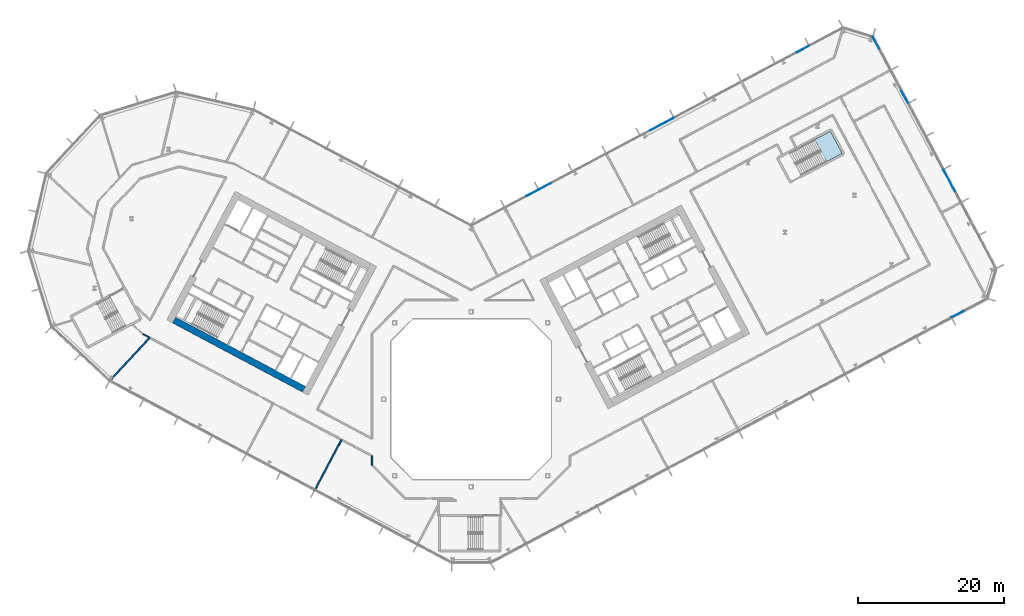
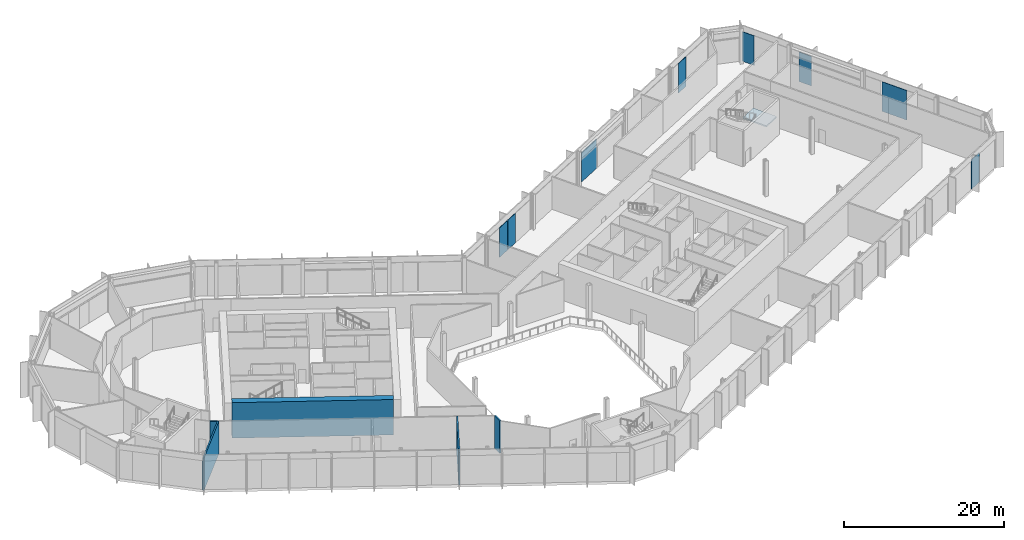
# One storey, part 11 of 32: 8 plates, 5 walls, 1 slab, 4 elements without a shape of their own.
"""IFC4 building model written with IfcOpenShell, lengths in metres."""

from ifc_helpers import new_model, si_unit, direction, frame, frame_2d, origin, origin_2d, place, context, subcontext, project, spatial, polyline, rectangle, outline, extrude, material, layer, layer_set, type_object, element, aggregate, save


model = new_model("IFC4")

# Units and contexts
model_context = context("Model", 3, precision=1e-05, world=origin(), true_north=direction((0.0, 1.0)))
body_context = subcontext(model_context, "Body", "Model", "MODEL_VIEW")
ifc_project = project(units=[si_unit("LENGTHUNIT", "METRE"), si_unit("AREAUNIT", "SQUARE_METRE"), si_unit("VOLUMEUNIT", "CUBIC_METRE"), si_unit("PLANEANGLEUNIT", "RADIAN"), si_unit("MASSUNIT", "GRAM", prefix="KILO")], contexts=[model_context])

# Site, building, storey
site_placement = place(None, origin())
site = spatial("IfcSite", under=ifc_project, at=site_placement, CompositionType="ELEMENT")
building_placement = place(site_placement, origin())
building = spatial("IfcBuilding", under=site, at=building_placement, Name="Cormorant Relay Tower", CompositionType="ELEMENT")
storey_placement = place(building_placement, frame((0.0, 0.0, 17.60009765625)))
storey = spatial("IfcBuildingStorey", under=building, at=storey_placement, Name="L03", CompositionType="ELEMENT", Elevation=17.60009765625)

# Curtain wall, plate
ifc_material_1 = material(Name="Aluminium 6063-T6 anodised bronze", Category="aluminium")
ifc_layer_1 = layer(ifc_material_1, 0.235107421875)
ifc_layer_set_1 = layer_set([ifc_layer_1], Name="CW6 data hall curtain wall with mineral wool panels")
curtain_wall_type = type_object("IfcCurtainWallType", Name="CW6 data hall curtain wall with mineral wool panels", PredefinedType="NOTDEFINED", material=ifc_layer_set_1)
curtain_wall_1_placement = place(storey_placement, origin())
curtain_wall_1 = element("IfcCurtainWall", 1, at=curtain_wall_1_placement, inside=storey, type_object=curtain_wall_type, Name="CW6 curtain wall 2", PredefinedType="NOTDEFINED")
ifc_material_2 = material(Name="Tinted triple-glazed laminated unit")
ifc_layer_2 = layer(ifc_material_2, 0.074951171875)
ifc_layer_set_2 = layer_set([ifc_layer_2], Name="CW6 triple-glazed vision unit 1800 module")
plate_type_1 = type_object("IfcPlateType", Name="CW6 triple-glazed vision unit 1800 module", PredefinedType="CURTAIN_PANEL", material=ifc_layer_set_2)
plate_1_placement = place(storey_placement, frame((66.794189453125, 11.688720703125, 0.0), z_axis=(0.0, 0.0, 1.0), x_axis=(0.882947592859, 0.469471562786, 0.0)))
plate_1 = element("IfcPlate", 2, at=plate_1_placement, type_object=plate_type_1, Name="CW6 panel V14", PredefinedType="CURTAIN_PANEL", context=body_context, shape_type="SweptSolid", body=[
    extrude(rectangle(XDim=1.800048828125, YDim=0.074951171875, at=origin_2d()), origin(), (0.0, 0.0, 1.0), 4.5),
])
aggregate(curtain_wall_1, [plate_1])

# Curtain wall, plates
curtain_wall_2_placement = place(storey_placement, origin())
curtain_wall_2 = element("IfcCurtainWall", 3, at=curtain_wall_2_placement, inside=storey, type_object=curtain_wall_type, Name="CW6 curtain wall 4", PredefinedType="NOTDEFINED")
plate_2_placement = place(storey_placement, frame((59.52587890625, 41.49169921875, 0.0), z_axis=(0.0, 0.0, 1.0), x_axis=(-0.469471562786, 0.882947592859, 0.0)))
plate_2 = element("IfcPlate", 4, at=plate_2_placement, type_object=plate_type_1, Name="CW6 panel V04", PredefinedType="CURTAIN_PANEL", context=body_context, shape_type="SweptSolid", body=[
    extrude(rectangle(XDim=1.800048828125, YDim=0.074951171875, at=origin_2d()), origin(), (0.0, 0.0, 1.0), 4.5),
])
plate_3_placement = place(storey_placement, frame((55.577392578125, 48.91796875, 0.0), z_axis=(0.0, 0.0, 1.0), x_axis=(-0.469471562786, 0.882947592859, 0.0)))
plate_3 = element("IfcPlate", 5, at=plate_3_placement, type_object=plate_type_1, Name="CW6 panel V06", PredefinedType="CURTAIN_PANEL", context=body_context, shape_type="SweptSolid", body=[
    extrude(rectangle(XDim=1.800048828125, YDim=0.074951171875, at=origin_2d()), origin(), (0.0, 0.0, 1.0), 4.5),
])

curtain_wall_3_placement = place(storey_placement, origin())
curtain_wall_3 = element("IfcCurtainWall", 6, at=curtain_wall_3_placement, inside=storey, type_object=curtain_wall_type, Name="CW6 curtain wall 6", PredefinedType="NOTDEFINED")
plate_4_placement = place(storey_placement, frame((45.543701171875, 48.04248046875, 0.0), z_axis=(0.0, 0.0, 1.0), x_axis=(-0.882947592859, -0.469471562786, 0.0)))
plate_4 = element("IfcPlate", 7, at=plate_4_placement, type_object=plate_type_1, Name="CW6 panel V01", PredefinedType="CURTAIN_PANEL", context=body_context, shape_type="SweptSolid", body=[
    extrude(rectangle(XDim=1.800048828125, YDim=0.074951171875, at=origin_2d()), origin(), (0.0, 0.0, 1.0), 4.5),
])
plate_5_placement = place(storey_placement, frame((10.127685546875, 29.21142578125, 0.0), z_axis=(0.0, 0.0, 1.0), x_axis=(-0.882947592859, -0.469471562786, 0.0)))
plate_5 = element("IfcPlate", 8, at=plate_5_placement, type_object=plate_type_1, Name="CW6 panel V07", PredefinedType="CURTAIN_PANEL", context=body_context, shape_type="SweptSolid", body=[
    extrude(rectangle(XDim=1.800048828125, YDim=0.074951171875, at=origin_2d()), origin(), (0.0, 0.0, 1.0), 4.5),
])
plate_6_placement = place(storey_placement, frame((8.406005859375, 28.2958984375, 0.0), z_axis=(0.0, 0.0, 1.0), x_axis=(-0.882947592859, -0.469471562786, 0.0)))
plate_6 = element("IfcPlate", 9, at=plate_6_placement, type_object=plate_type_1, Name="CW6 panel V08", PredefinedType="CURTAIN_PANEL", context=body_context, shape_type="SweptSolid", body=[
    extrude(rectangle(XDim=1.800048828125, YDim=0.074951171875, at=origin_2d()), origin(), (0.0, 0.0, 1.0), 4.5),
])

# Plate
ifc_material_3 = material(Name="Tinted triple-glazed laminated unit")
ifc_layer_3 = layer(ifc_material_3, 0.074951171875)
ifc_layer_set_3 = layer_set([ifc_layer_3], Name="CW6 triple-glazed vision unit 3600 module")
plate_type_2 = type_object("IfcPlateType", Name="CW6 triple-glazed vision unit 3600 module", PredefinedType="CURTAIN_PANEL", material=ifc_layer_set_3)
plate_7_placement = place(storey_placement, frame((65.69287109375, 29.8935546875, 0.0), z_axis=(0.0, 0.0, 1.0), x_axis=(-0.469471562786, 0.882947592859, 0.0)))
plate_7 = element("IfcPlate", 10, at=plate_7_placement, type_object=plate_type_2, Name="CW6 panel V02", PredefinedType="CURTAIN_PANEL", context=body_context, shape_type="SweptSolid", body=[
    extrude(rectangle(XDim=3.60009765625, YDim=0.074951171875, at=origin_2d()), origin(), (0.0, 0.0, 1.0), 4.5),
])

aggregate(curtain_wall_2, [plate_7, plate_2, plate_3])

plate_8_placement = place(storey_placement, frame((26.18017578125, 37.74658203125, 0.0), z_axis=(0.0, 0.0, 1.0), x_axis=(-0.882947592859, -0.469471562786, 0.0)))
plate_8 = element("IfcPlate", 11, at=plate_8_placement, type_object=plate_type_2, Name="CW6 panel V04", PredefinedType="CURTAIN_PANEL", context=body_context, shape_type="SweptSolid", body=[
    extrude(rectangle(XDim=3.60009765625, YDim=0.074951171875, at=origin_2d()), origin(), (0.0, 0.0, 1.0), 4.5),
])

aggregate(curtain_wall_3, [plate_4, plate_8, plate_5, plate_6])

# Stair, slab
ifc_material_4 = material(Name="Concrete 40 MPa", Category="concrete")
stair_type = type_object("IfcStairType", Name="Exit stair 1500", PredefinedType="HALF_TURN_STAIR", material=ifc_material_4)
stair_placement = place(storey_placement, origin())
stair = element("IfcStair", 12, at=stair_placement, inside=storey, type_object=stair_type, Name="L03 Stair", PredefinedType="HALF_TURN_STAIR")
ifc_material_5 = material(Name="Concrete 40 MPa", Category="concrete")
ifc_layer_4 = layer(ifc_material_5, 0.199951171875)
ifc_layer_set_4 = layer_set([ifc_layer_4], Name="Exit stair landing 200")
slab_type = type_object("IfcSlabType", Name="Exit stair landing 200", PredefinedType="LANDING", material=ifc_layer_set_4)
slab_placement = place(storey_placement, frame((0.0, 0.0, 2.5)))
slab = element("IfcSlab", 13, at=slab_placement, type_object=slab_type, Name="RB1 landing 1", PredefinedType="LANDING", context=body_context, shape_type="SweptSolid", body=[
    extrude(outline(polyline([(48.796142578125, 32.614013671875), (50.941650390625, 33.7548828125), (49.322021484375, 36.801025390625), (47.17626953125, 35.66015625), (48.796142578125, 32.614013671875)])), origin(), (0.0, 0.0, 1.0), 0.199951171875),
])
aggregate(stair, [slab])

# Walls
ifc_material_6 = material(Name="Concrete 70 MPa", Category="concrete")
ifc_layer_5 = layer(ifc_material_6, 0.89990234375)
ifc_layer_set_5 = layer_set([ifc_layer_5], Name="Core wall 900")
wall_type_1 = type_object("IfcWallType", Name="Core wall 900", PredefinedType="SHEAR", material=ifc_layer_set_5)
wall_1_placement = place(storey_placement, frame((-22.93701171875, 1.3798828125, 0.0), z_axis=(0.0, 0.0, 1.0), x_axis=(-0.88295276571, 0.46946183394, 0.0)))
element("IfcWall", 14, at=wall_1_placement, inside=storey, type_object=wall_type_1, Name="L03 core A wall", PredefinedType="SHEAR", context=body_context, shape_type="SweptSolid", body=[
    extrude(rectangle(XDim=20.199951171875, YDim=0.89990234375, at=frame_2d((10.10009765625, 0.0))), origin(), (0.0, 0.0, 1.0), 5.39990234375),
])
ifc_material_7 = material(Name="Fire-rated gypsum board partition")
ifc_layer_6 = layer(ifc_material_7, 0.199951171875)
ifc_layer_set_6 = layer_set([ifc_layer_6], Name="Fire-rated gypsum partition 200")
wall_type_2 = type_object("IfcWallType", Name="Fire-rated gypsum partition 200", PredefinedType="PARTITIONING", material=ifc_layer_set_6)
wall_2_placement = place(storey_placement, frame((-44.1201171875, 8.451904296875, 0.0), z_axis=(0.0, 0.0, 1.0), x_axis=(-0.682009555742, -0.731343261319, 0.0)))
element("IfcWall", 15, at=wall_2_placement, inside=storey, type_object=wall_type_2, Name="wall/L03/part/10", PredefinedType="PARTITIONING", context=body_context, shape_type="SweptSolid", body=[
    extrude(rectangle(XDim=8.229736328125, YDim=0.199951171875, at=frame_2d((4.11474609375, 0.0))), origin(), (0.0, 0.0, 1.0), 4.949951171875),
])
wall_3_placement = place(storey_placement, frame((-13.60009765625, -9.076904296875, 0.0), z_axis=(0.0, 0.0, 1.0), x_axis=(0.0, 1.0, 0.0)))
element("IfcWall", 16, at=wall_3_placement, inside=storey, type_object=wall_type_2, Name="wall/L03/part/23", PredefinedType="PARTITIONING", context=body_context, shape_type="SweptSolid", body=[
    extrude(rectangle(XDim=1.302001953125, YDim=0.199951171875, at=frame_2d((0.65087890625, 0.0))), origin(), (0.0, 0.0, 1.0), 4.949951171875),
])
wall_4_placement = place(storey_placement, frame((-17.787109375, -5.549072265625, 0.0), z_axis=(0.0, 0.0, 1.0), x_axis=(-0.469551855795, -0.882904895625, 0.0)))
element("IfcWall", 17, at=wall_4_placement, inside=storey, type_object=wall_type_2, Name="wall/L03/part/32", PredefinedType="PARTITIONING", context=body_context, shape_type="SweptSolid", body=[
    extrude(rectangle(XDim=7.949951171875, YDim=0.199951171875, at=frame_2d((3.97509765625, 0.0))), origin(), (0.0, 0.0, 1.0), 4.949951171875),
])
ifc_material_8 = material(Name="Gypsum board partition")
ifc_layer_7 = layer(ifc_material_8, 0.14990234375)
ifc_layer_set_7 = layer_set([ifc_layer_7], Name="Gypsum board partition 150")
wall_type_3 = type_object("IfcWallType", Name="Gypsum board partition 150", PredefinedType="PARTITIONING", material=ifc_layer_set_7)
wall_5_placement = place(storey_placement, frame((-44.181884765625, 8.486083984375, 0.0), z_axis=(0.0, 0.0, 1.0), x_axis=(-0.883256863702, 0.468889446163, 0.0)))
element("IfcWall", 18, at=wall_5_placement, inside=storey, type_object=wall_type_3, Name="wall/L03/part/21", PredefinedType="PARTITIONING", context=body_context, shape_type="SweptSolid", body=[
    extrude(rectangle(XDim=0.985107421875, YDim=0.14990234375, at=frame_2d((0.49267578125, 0.0))), origin(), (0.0, 0.0, 1.0), 4.949951171875),
])

save(model, "model.ifc")
